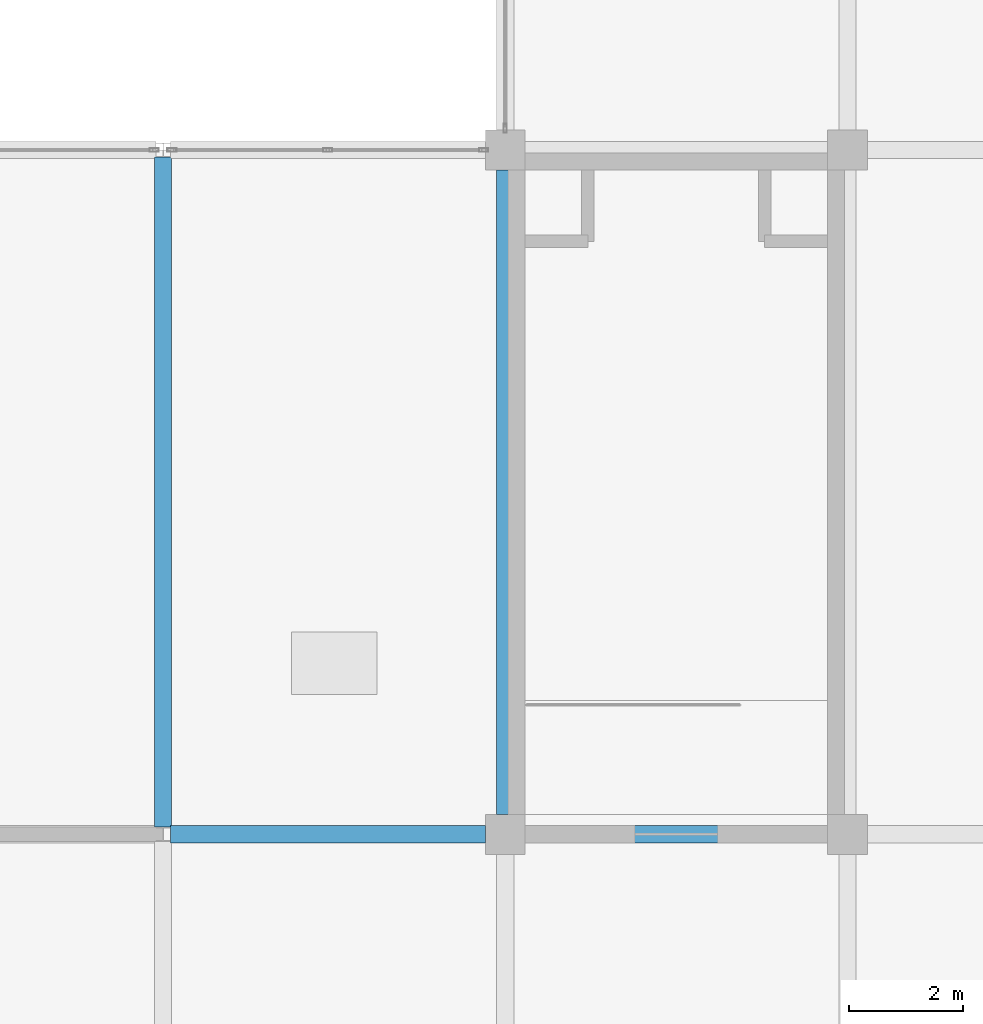
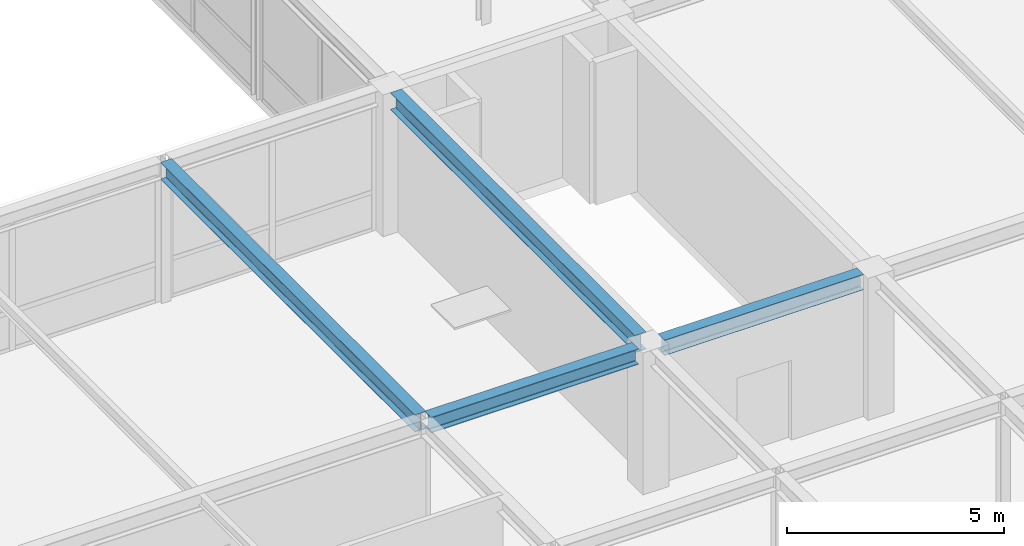
# One storey, part 84 of 111: 4 beams.
"""IFC4 building model written with IfcOpenShell, lengths in metres."""

from ifc_helpers import new_model, si_unit, direction, frame, origin, origin_2d, place, context, subcontext, project, spatial, i_section, extrude, material, material_profile, profile_set, type_object, element, save


model = new_model("IFC4")

# Units and contexts
model_context = context("Model", 3, precision=1e-05, world=origin(), true_north=direction((0.0, 1.0)))
body_context = subcontext(model_context, "Body", "Model", "MODEL_VIEW")
ifc_project = project(units=[si_unit("LENGTHUNIT", "METRE"), si_unit("AREAUNIT", "SQUARE_METRE"), si_unit("VOLUMEUNIT", "CUBIC_METRE"), si_unit("PLANEANGLEUNIT", "RADIAN"), si_unit("MASSUNIT", "GRAM", prefix="KILO")], contexts=[model_context])

# Site, building, storey
site_placement = place(None, origin())
site = spatial("IfcSite", under=ifc_project, at=site_placement, CompositionType="ELEMENT")
building_placement = place(site_placement, origin())
building = spatial("IfcBuilding", under=site, at=building_placement, Name="Zlatovratsky Civic Hall", CompositionType="ELEMENT")
storey_placement = place(building_placement, frame((0.0, 0.0, 16.5)))
storey = spatial("IfcBuildingStorey", under=building, at=storey_placement, Name="L04", CompositionType="ELEMENT", Elevation=16.5)

# Beams
ifc_material = material(Name="Steel S355", Category="steel")
ifc_material_profile_1 = material_profile(ifc_material, i_section(OverallWidth=0.300048828125, OverallDepth=0.487060546875, WebThickness=0.014404296875, FlangeThickness=0.017578125, FilletRadius=0.02392578125, at=origin_2d()), Name="50Sh2")
ifc_profile_set_1 = profile_set([ifc_material_profile_1], Name="Steel S355")
beam_type_1 = type_object("IfcBeamType", Name="Beam_ArchiveGirder_50Sh2", PredefinedType="BEAM", material=ifc_profile_set_1)
beam_1_placement = place(storey_placement, frame((144.0, 18.125, 3.756591796875), z_axis=(0.0, 1.0, 0.0), x_axis=(-1.0, 0.0, 0.0)))
element("IfcBeam", 1, at=beam_1_placement, inside=storey, type_object=beam_type_1, Name="BM-3769", PredefinedType="BEAM", context=body_context, shape_type="SweptSolid", body=[
    extrude(i_section(OverallWidth=0.300048828125, OverallDepth=0.487060546875, WebThickness=0.014404296875, FlangeThickness=0.017578125, FilletRadius=0.02392578125, at=origin_2d()), origin(), (0.0, 0.0, 1.0), 11.75),
])
beam_2_placement = place(storey_placement, frame((150.0, 18.35009765625, 3.756591796875), z_axis=(0.0, 1.0, 0.0), x_axis=(-1.0, 0.0, 0.0)))
element("IfcBeam", 2, at=beam_2_placement, inside=storey, type_object=beam_type_1, Name="BM-3780", PredefinedType="BEAM", context=body_context, shape_type="SweptSolid", body=[
    extrude(i_section(OverallWidth=0.300048828125, OverallDepth=0.487060546875, WebThickness=0.014404296875, FlangeThickness=0.017578125, FilletRadius=0.02392578125, at=origin_2d()), origin(), (0.0, 0.0, 1.0), 11.2998046875),
])
ifc_material_profile_2 = material_profile(ifc_material, i_section(OverallWidth=0.300048828125, OverallDepth=0.43994140625, WebThickness=0.010986328125, FlangeThickness=0.01806640625, FilletRadius=0.02197265625, at=origin_2d()), Name="45Sh1")
ifc_profile_set_2 = profile_set([ifc_material_profile_2], Name="Steel S355")
beam_type_2 = type_object("IfcBeamType", Name="Beam_TowerLow_45Sh1", PredefinedType="BEAM", material=ifc_profile_set_2)
beam_3_placement = place(storey_placement, frame((144.125, 18.0, 3.780029296875), z_axis=(1.0, 0.0, 0.0), x_axis=(0.0, 1.0, 0.0)))
element("IfcBeam", 3, at=beam_3_placement, inside=storey, type_object=beam_type_2, Name="BM-3253", PredefinedType="BEAM", context=body_context, shape_type="SweptSolid", body=[
    extrude(i_section(OverallWidth=0.300048828125, OverallDepth=0.43994140625, WebThickness=0.010986328125, FlangeThickness=0.01806640625, FilletRadius=0.02197265625, at=origin_2d()), origin(), (0.0, 0.0, 1.0), 5.52490234375),
])
beam_4_placement = place(storey_placement, frame((150.35009765625, 18.0, 3.780029296875), z_axis=(1.0, 0.0, 0.0), x_axis=(0.0, 1.0, 0.0)))
element("IfcBeam", 4, at=beam_4_placement, inside=storey, type_object=beam_type_2, Name="BM-3254", PredefinedType="BEAM", context=body_context, shape_type="SweptSolid", body=[
    extrude(i_section(OverallWidth=0.300048828125, OverallDepth=0.43994140625, WebThickness=0.010986328125, FlangeThickness=0.01806640625, FilletRadius=0.02197265625, at=origin_2d()), origin(), (0.0, 0.0, 1.0), 5.2998046875),
])

save(model, "model.ifc")
